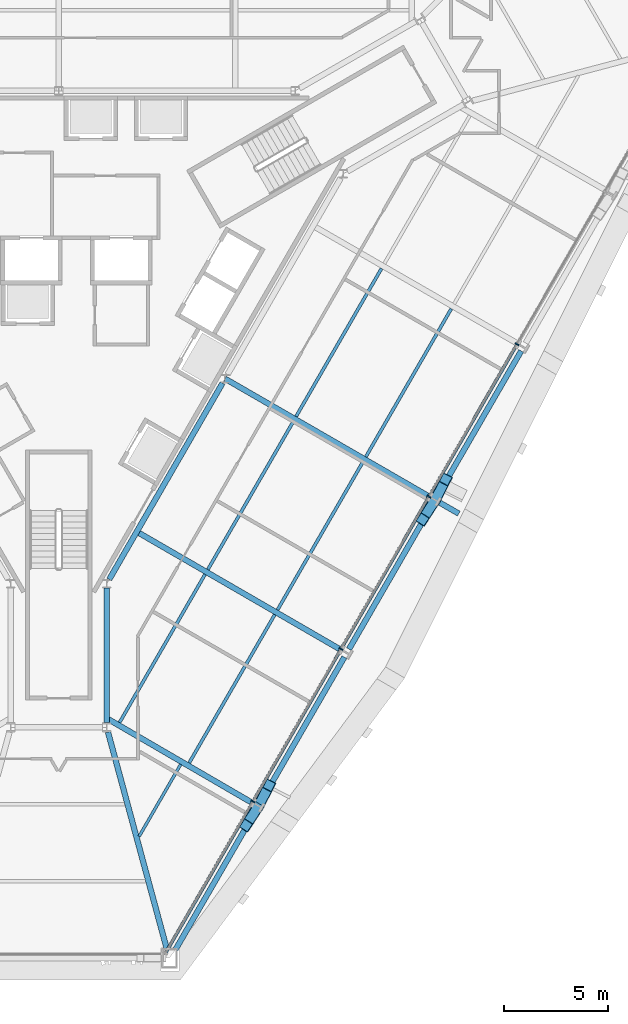
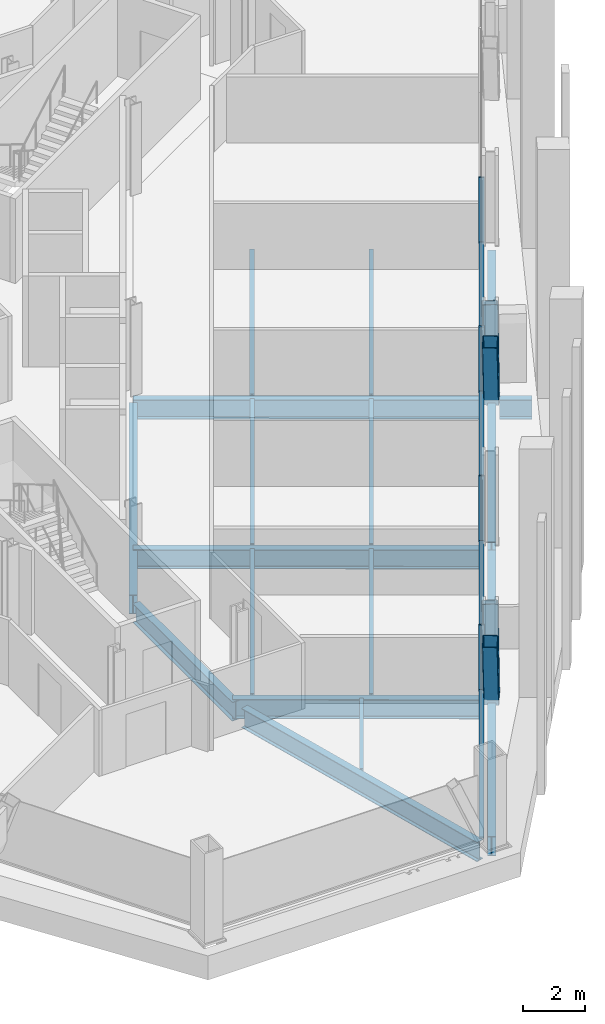
# One storey, part 4 of 16: 18 beams, 12 members, 1 element without a shape of its own.
"""IFC4 building model written with IfcOpenShell, lengths in metres."""

import ifcopenshell
import ifcopenshell.guid

model = None  # the IFC model being written
_history = None  # IfcOwnerHistory: only IFC2X3 demands one
_inside = {}  # id of a spatial element -> (the spatial element, [elements in it])
_under = {}  # id of a project, library or spatial element -> (it, [spatial elements below it])
_declared = {}  # id of a project -> (the project, [libraries it declares])
_typed = {}  # id of a type object -> (the type object, [elements of that type])
_made_of = {}  # id of a material, layer set ... -> (it, [elements and type objects made of it])


def new_model(schema):
    """Start an empty IFC model of exactly this schema.

    Asked for "IFC4X3", IfcOpenShell would pick the latest addendum, in which some entities
    have other attributes; the version numbers below select the first issue.
    IFC2X3 requires an IfcOwnerHistory on every rooted entity: one is made here for all.
    """
    global model, _history
    if schema == "IFC4X3":
        model = ifcopenshell.file(schema_version=(4, 3, 0, 0))
    else:
        model = ifcopenshell.file(schema=schema)
    _inside.clear()
    _under.clear()
    _declared.clear()
    _typed.clear()
    _made_of.clear()
    _history = None
    if model.schema == "IFC2X3":
        org = make("IfcOrganization", Name="unknown")
        user = make(
            "IfcPersonAndOrganization",
            ThePerson=make("IfcPerson", FamilyName="unknown"),
            TheOrganization=org,
        )
        app = make(
            "IfcApplication",
            ApplicationDeveloper=org,
            Version="unknown",
            ApplicationFullName="unknown",
            ApplicationIdentifier="unknown",
        )
        _history = make(
            "IfcOwnerHistory",
            OwningUser=user,
            OwningApplication=app,
            ChangeAction="ADDED",
            CreationDate=0,
        )
    return model


def make(cls, **values):
    """One entity of the class cls with the attributes given. An attribute that is None is left unset."""
    return model.create_entity(
        cls, **{name: value for name, value in values.items() if value is not None}
    )


def rooted(cls, **values):
    """An entity with a GlobalId (a new one), such as an element, a storey or a relation."""
    return make(cls, GlobalId=ifcopenshell.guid.new(), OwnerHistory=_history, **values)


def si_unit(unit_type, name, prefix=None):
    """IfcSIUnit, for example si_unit("LENGTHUNIT", "METRE", prefix="MILLI")."""
    return make("IfcSIUnit", UnitType=unit_type, Prefix=prefix, Name=name)


def assignment(units):
    """IfcUnitAssignment: the units of a project."""
    return None if units is None else make("IfcUnitAssignment", Units=units)


def point(xyz):
    """IfcCartesianPoint."""
    return None if xyz is None else make("IfcCartesianPoint", Coordinates=xyz)


def direction(xyz):
    """IfcDirection."""
    return None if xyz is None else make("IfcDirection", DirectionRatios=xyz)


def frame(location, z_axis=None, x_axis=None):
    """IfcAxis2Placement3D, a coordinate frame: its origin and axes. An axis left out is left unset."""
    return make(
        "IfcAxis2Placement3D",
        Location=point(location),
        Axis=direction(z_axis),
        RefDirection=direction(x_axis),
    )


def frame_2d(location, x_axis=None):
    """IfcAxis2Placement2D, a coordinate frame in the plane: its origin and x axis."""
    return make(
        "IfcAxis2Placement2D", Location=point(location), RefDirection=direction(x_axis)
    )


def origin():
    """The frame at (0, 0, 0) with its axes left unset."""
    return frame((0.0, 0.0, 0.0))


def origin_2d():
    """The frame at (0, 0) in the plane with its x axis left unset."""
    return frame_2d((0.0, 0.0))


def place(relative_to, where):
    """IfcLocalPlacement: puts the frame where relative to a parent placement (None: the world)."""
    return make(
        "IfcLocalPlacement", PlacementRelTo=relative_to, RelativePlacement=where
    )


def context(
    kind, dimensions, precision=None, world=None, true_north=None, identifier=None
):
    """IfcGeometricRepresentationContext, for example the 3D "Model" context."""
    return make(
        "IfcGeometricRepresentationContext",
        ContextIdentifier=identifier,
        ContextType=kind,
        CoordinateSpaceDimension=dimensions,
        Precision=precision,
        WorldCoordinateSystem=world,
        TrueNorth=true_north,
    )


def subcontext(parent, identifier, kind, view, scale=None):
    """IfcGeometricRepresentationSubContext, for example "Body" below "Model"."""
    return make(
        "IfcGeometricRepresentationSubContext",
        ContextIdentifier=identifier,
        ContextType=kind,
        ParentContext=parent,
        TargetScale=scale,
        TargetView=view,
    )


def project(units=None, contexts=None):
    """IfcProject with its units and contexts."""
    return rooted(
        "IfcProject",
        Name="project",
        RepresentationContexts=contexts,
        UnitsInContext=assignment(units),
    )


def spatial(cls, under=None, at=None, **own):
    """A site, building, storey or space (cls), placed at a placement, below another one or the project."""
    s = rooted(cls, ObjectPlacement=at, **own)
    if under is not None:
        _under.setdefault(under.id(), (under, []))[1].append(s)
    return s


def profile(cls, at=None, kind="AREA", **sizes):
    """A parametric profile (cls). Its sizes go by their IFC names, for example OverallWidth=200.0."""
    return make(cls, ProfileType=kind, Position=at, **sizes)


def rectangle(**sizes):
    """IfcRectangleProfileDef."""
    return profile("IfcRectangleProfileDef", **sizes)


def hollow_rectangle(**sizes):
    """IfcRectangleHollowProfileDef."""
    return profile("IfcRectangleHollowProfileDef", **sizes)


def i_section(**sizes):
    """IfcIShapeProfileDef."""
    return profile("IfcIShapeProfileDef", **sizes)


def extrude(swept, where, along, depth):
    """IfcExtrudedAreaSolid: the profile swept, set in the frame where, extruded along a direction by depth."""
    return make(
        "IfcExtrudedAreaSolid",
        SweptArea=swept,
        Position=where,
        ExtrudedDirection=direction(along),
        Depth=depth,
    )


def shape(context_of_items, identifier, shape_type, items):
    """IfcShapeRepresentation: the items that make up one representation, for example the "Body"."""
    return make(
        "IfcShapeRepresentation",
        ContextOfItems=context_of_items,
        RepresentationIdentifier=identifier,
        RepresentationType=shape_type,
        Items=items,
    )


def material(Name=None, Category=None):
    """IfcMaterial."""
    return make("IfcMaterial", Name=Name, Category=Category)


def material_profile(
    of_material, cross_section, Name=None, Category=None, Priority=None
):
    """IfcMaterialProfile: a cross section and its material."""
    return make(
        "IfcMaterialProfile",
        Name=Name,
        Material=of_material,
        Profile=cross_section,
        Priority=Priority,
        Category=Category,
    )


def profile_set(profiles, Name=None, composite=None):
    """IfcMaterialProfileSet."""
    return make(
        "IfcMaterialProfileSet",
        Name=Name,
        MaterialProfiles=profiles,
        CompositeProfile=composite,
    )


def made_of(thing, what):
    """Note that an element or type object is made of a material, layer set ...; save() writes the relation."""
    if what is not None:
        _made_of.setdefault(what.id(), (what, []))[1].append(thing)
    return thing


def type_object(cls, material=None, **own):
    """A type object (cls), such as IfcWallType, which elements share."""
    return made_of(rooted(cls, **own), material)


def element(
    cls,
    number,
    at=None,
    inside=None,
    cuts=None,
    type_object=None,
    material=None,
    context=None,
    identifier="Body",
    shape_type=None,
    held_by="IfcProductDefinitionShape",
    body=None,
    shapes=None,
    **own,
):
    """One element of the class cls, such as IfcWall. Its Tag is "e" and its number.

    at: its placement. inside: the storey or other place that contains it. cuts: it is an
    opening in that element (IfcRelVoidsElement). A single representation is given by context,
    identifier, shape_type and body (its items); several are given by shapes. held_by: the class
    of the entity that holds the representations. save() writes the other relations.
    """
    e = rooted(cls, Tag="e%d" % number, ObjectPlacement=at, **own)
    if body is not None:
        shapes = [shape(context, identifier, shape_type, body)]
    if shapes is not None:
        e.Representation = make(held_by, Representations=shapes)
    if inside is not None:
        _inside.setdefault(inside.id(), (inside, []))[1].append(e)
    if cuts is not None:
        rooted(
            "IfcRelVoidsElement", RelatingBuildingElement=cuts, RelatedOpeningElement=e
        )
    if type_object is not None:
        _typed.setdefault(type_object.id(), (type_object, []))[1].append(e)
    return made_of(e, material)


def aggregate(whole, parts):
    """IfcRelAggregates: a whole, such as a stair, and the parts it consists of."""
    return rooted("IfcRelAggregates", RelatingObject=whole, RelatedObjects=parts)


def save(model, path):
    """Write the relations noted so far, then the file.

    IfcRelAggregates (storeys below a building ...), IfcRelContainedInSpatialStructure (elements
    in a storey), IfcRelDefinesByType, IfcRelAssociatesMaterial and IfcRelDeclares: one each for
    every whole, place, type object, material and project.
    """
    for whole, parts in _under.values():
        aggregate(whole, parts)
    for where, things in _inside.values():
        rooted(
            "IfcRelContainedInSpatialStructure",
            RelatedElements=things,
            RelatingStructure=where,
        )
    for kind, things in _typed.values():
        rooted("IfcRelDefinesByType", RelatedObjects=things, RelatingType=kind)
    for what, things in _made_of.values():
        rooted("IfcRelAssociatesMaterial", RelatedObjects=things, RelatingMaterial=what)
    for by, libraries in _declared.values():
        rooted("IfcRelDeclares", RelatingContext=by, RelatedDefinitions=libraries)
    model.write(path)


model = new_model("IFC4")

# Units and contexts
model_context = context("Model", 3, precision=1e-05, world=origin(), true_north=direction((0.0, 1.0)))
body_context = subcontext(model_context, "Body", "Model", "MODEL_VIEW")
ifc_project = project(units=[si_unit("LENGTHUNIT", "METRE"), si_unit("AREAUNIT", "SQUARE_METRE"), si_unit("VOLUMEUNIT", "CUBIC_METRE"), si_unit("PLANEANGLEUNIT", "RADIAN"), si_unit("MASSUNIT", "GRAM", prefix="KILO")], contexts=[model_context])

# Site, building, storey
site_placement = place(None, origin())
site = spatial("IfcSite", under=ifc_project, at=site_placement, CompositionType="ELEMENT")
building_placement = place(site_placement, origin())
building = spatial("IfcBuilding", under=site, at=building_placement, Name="Verrane Prism Tower", CompositionType="ELEMENT")
storey_placement = place(building_placement, frame((0.0, 0.0, 36.800048828125)))
storey = spatial("IfcBuildingStorey", under=building, at=storey_placement, Name="L06", CompositionType="ELEMENT", Elevation=36.800048828125)

# Beams
ifc_material_1 = material(Name="Steel A992", Category="steel")
ifc_material_profile_1 = material_profile(ifc_material_1, i_section(OverallWidth=0.2666015625, OverallDepth=0.7568359375, WebThickness=0.013916015625, FlangeThickness=0.019287109375, FilletRadius=0.0166015625, at=origin_2d()), Name="W30x108")
ifc_profile_set_1 = profile_set([ifc_material_profile_1], Name="Steel A992")
beam_type_1 = type_object("IfcBeamType", Name="Core ring girder W30x108", PredefinedType="BEAM", material=ifc_profile_set_1)
beam_1_placement = place(storey_placement, frame((2.300048828125, -21.07275390625, -0.628662109375), z_axis=(0.0, 1.0, 0.0), x_axis=(-1.0, 0.0, 0.0)))
element("IfcBeam", 1, at=beam_1_placement, inside=storey, type_object=beam_type_1, Name="Core ring girder L06", PredefinedType="BEAM", context=body_context, shape_type="SweptSolid", body=[
    extrude(i_section(OverallWidth=0.2666015625, OverallDepth=0.7568359375, WebThickness=0.013916015625, FlangeThickness=0.019287109375, FilletRadius=0.0166015625, at=origin_2d()), origin(), (0.0, 0.0, 1.0), 6.4443359375),
])
beam_2_placement = place(storey_placement, frame((2.42041015625, -14.211669921875, -0.628662109375), z_axis=(0.500013103396, 0.866017838403, 0.0), x_axis=(-0.866017838403, 0.500013103396, 0.0)))
element("IfcBeam", 2, at=beam_2_placement, inside=storey, type_object=beam_type_1, Name="Core ring girder L06", PredefinedType="BEAM", context=body_context, shape_type="SweptSolid", body=[
    extrude(i_section(OverallWidth=0.2666015625, OverallDepth=0.7568359375, WebThickness=0.013916015625, FlangeThickness=0.019287109375, FilletRadius=0.0166015625, at=origin_2d()), origin(), (0.0, 0.0, 1.0), 10.858154296875),
])
ifc_material_2 = material(Name="Steel A992", Category="steel")
ifc_material_profile_2 = material_profile(ifc_material_2, i_section(OverallWidth=0.2666015625, OverallDepth=0.76708984375, WebThickness=0.014892578125, FlangeThickness=0.023681640625, FilletRadius=0.0166015625, at=origin_2d()), Name="W30x124")
ifc_profile_set_2 = profile_set([ifc_material_profile_2], Name="Steel A992")
beam_type_2 = type_object("IfcBeamType", Name="Corner girder W30x124", PredefinedType="BEAM", material=ifc_profile_set_2)
beam_3_placement = place(storey_placement, frame((5.177978515625, -31.909912109375, -0.603515625), z_axis=(-0.261780624044, 0.965127403442, 0.0), x_axis=(-0.965127403442, -0.261780624044, 0.0)))
element("IfcBeam", 3, at=beam_3_placement, inside=storey, type_object=beam_type_2, Name="Corner girder L06", PredefinedType="BEAM", context=body_context, shape_type="SweptSolid", body=[
    extrude(i_section(OverallWidth=0.2666015625, OverallDepth=0.76708984375, WebThickness=0.014892578125, FlangeThickness=0.023681640625, FilletRadius=0.0166015625, at=origin_2d()), origin(), (0.0, 0.0, 1.0), 10.7578125),
])

# Members
ifc_material_3 = material(Name="Steel A1085 Grade A", Category="steel")
ifc_material_profile_3 = material_profile(ifc_material_3, hollow_rectangle(XDim=0.508056640625, YDim=0.508056640625, WallThickness=0.025390625, InnerFilletRadius=0.0126953125, OuterFilletRadius=0.0380859375, at=origin_2d()), Name="HSS20x20x1")
ifc_profile_set_3 = profile_set([ifc_material_profile_3], Name="Steel A1085 Grade A")
member_type_1 = type_object("IfcMemberType", Name="Facade brace HSS20x20x1", PredefinedType="BRACE", material=ifc_profile_set_3)
member_1_placement = place(storey_placement, frame((9.505615234375, -25.182861328125, -0.19775390625), z_axis=(-0.170276347027, -0.262378948337, 0.94982274826), x_axis=(0.83883778559, -0.544381455844, 0.0)))
element("IfcMember", 4, at=member_1_placement, inside=storey, type_object=member_type_1, Name="Facade brace SE0 L06", PredefinedType="BRACE", context=body_context, shape_type="SweptSolid", body=[
    extrude(hollow_rectangle(XDim=0.508056640625, YDim=0.508056640625, WallThickness=0.025390625, InnerFilletRadius=0.0126953125, OuterFilletRadius=0.0380859375, at=origin_2d()), origin(), (0.0, 0.0, 1.0), 3.119873046875),
])
member_2_placement = place(storey_placement, frame((9.6201171875, -24.984619140625, -0.19775390625), z_axis=(0.1479180144, 0.288588201961, 0.945958302836), x_axis=(-0.889912521453, 0.456131235678, 0.0)))
element("IfcMember", 5, at=member_2_placement, inside=storey, type_object=member_type_1, Name="Facade brace SE1 L06", PredefinedType="BRACE", context=body_context, shape_type="SweptSolid", body=[
    extrude(hollow_rectangle(XDim=0.508056640625, YDim=0.508056640625, WallThickness=0.025390625, InnerFilletRadius=0.0126953125, OuterFilletRadius=0.0380859375, at=origin_2d()), origin(), (0.0, 0.0, 1.0), 3.132568359375),
])
member_3_placement = place(storey_placement, frame((17.97607421875, -10.505615234375, -0.19775390625), z_axis=(-0.172986598869, -0.267328725928, 0.947950942246), x_axis=(0.839556996111, -0.543271617408, 0.0)))
element("IfcMember", 6, at=member_3_placement, inside=storey, type_object=member_type_1, Name="Facade brace SE2 L06", PredefinedType="BRACE", context=body_context, shape_type="SweptSolid", body=[
    extrude(hollow_rectangle(XDim=0.508056640625, YDim=0.508056640625, WallThickness=0.025390625, InnerFilletRadius=0.0126953125, OuterFilletRadius=0.0380859375, at=origin_2d()), origin(), (0.0, 0.0, 1.0), 3.1259765625),
])
member_4_placement = place(storey_placement, frame((18.090576171875, -10.3076171875, -0.19775390625), z_axis=(0.145243104133, 0.283770666892, 0.947828386003), x_axis=(-0.890174233627, 0.455620273678, 0.0)))
element("IfcMember", 7, at=member_4_placement, inside=storey, type_object=member_type_1, Name="Facade brace SE3 L06", PredefinedType="BRACE", context=body_context, shape_type="SweptSolid", body=[
    extrude(hollow_rectangle(XDim=0.508056640625, YDim=0.508056640625, WallThickness=0.025390625, InnerFilletRadius=0.0126953125, OuterFilletRadius=0.0380859375, at=origin_2d()), origin(), (0.0, 0.0, 1.0), 3.12646484375),
])

# Beams
ifc_material_4 = material(Name="Steel A992", Category="steel")
ifc_material_profile_4 = material_profile(ifc_material_4, i_section(OverallWidth=0.140380859375, OverallDepth=0.40380859375, WebThickness=0.007080078125, FlangeThickness=0.01123046875, FilletRadius=0.01025390625, at=origin_2d()), Name="W16x31")
ifc_profile_set_4 = profile_set([ifc_material_profile_4], Name="Steel A992")
beam_type_3 = type_object("IfcBeamType", Name="Floor beam W16x31", PredefinedType="BEAM", material=ifc_profile_set_4)
beam_4_placement = place(storey_placement, frame((3.85498046875, -26.52294921875, -0.362060546875), z_axis=(0.499985753801, 0.866033628675, 0.0), x_axis=(-0.866033628675, 0.499985753801, 0.0)))
element("IfcBeam", 8, at=beam_4_placement, inside=storey, type_object=beam_type_3, Name="Floor beam L06", PredefinedType="BEAM", context=body_context, shape_type="SweptSolid", body=[
    extrude(i_section(OverallWidth=0.140380859375, OverallDepth=0.40380859375, WebThickness=0.007080078125, FlangeThickness=0.01123046875, FilletRadius=0.01025390625, at=origin_2d()), origin(), (0.0, 0.0, 1.0), 3.986328125),
])
ifc_material_5 = material(Name="Steel A992", Category="steel")
ifc_material_profile_5 = material_profile(ifc_material_5, i_section(OverallWidth=0.15234375, OverallDepth=0.449462890625, WebThickness=0.007568359375, FlangeThickness=0.0107421875, FilletRadius=0.01025390625, at=origin_2d()), Name="W18x35")
ifc_profile_set_5 = profile_set([ifc_material_profile_5], Name="Steel A992")
beam_type_4 = type_object("IfcBeamType", Name="Floor beam W18x35", PredefinedType="BEAM", material=ifc_profile_set_5)
beam_5_placement = place(storey_placement, frame((6.255615234375, -22.997314453125, -0.384765625), z_axis=(0.499980301665, 0.866036776325, 0.0), x_axis=(-0.866036776325, 0.499980301665, 0.0)))
element("IfcBeam", 9, at=beam_5_placement, inside=storey, type_object=beam_type_4, Name="Floor beam L06", PredefinedType="BEAM", context=body_context, shape_type="SweptSolid", body=[
    extrude(i_section(OverallWidth=0.15234375, OverallDepth=0.449462890625, WebThickness=0.007568359375, FlangeThickness=0.0107421875, FilletRadius=0.01025390625, at=origin_2d()), origin(), (0.0, 0.0, 1.0), 8.196044921875),
])
beam_6_placement = place(storey_placement, frame((2.914306640625, -21.0703125, -0.384765625), z_axis=(0.499989744381, 0.866031324788, 0.0), x_axis=(-0.866031324788, 0.499989744381, 0.0)))
element("IfcBeam", 10, at=beam_6_placement, inside=storey, type_object=beam_type_4, Name="Floor beam L06", PredefinedType="BEAM", context=body_context, shape_type="SweptSolid", body=[
    extrude(i_section(OverallWidth=0.15234375, OverallDepth=0.449462890625, WebThickness=0.007568359375, FlangeThickness=0.0107421875, FilletRadius=0.01025390625, at=origin_2d()), origin(), (0.0, 0.0, 1.0), 8.196533203125),
])
for number, where, z_axis, x_axis, name in (
    (11, (10.486328125, -15.66748046875, -0.384765625), (0.499993199895, 0.866029329791, 0.0), (-0.866029329791, 0.499993199895, 0.0), "Floor beam L06"),
    (12, (7.145751953125, -13.740478515625, -0.384765625), (0.499993199895, 0.866029329791, 0.0), (-0.866029329791, 0.499993199895, 0.0), "Floor beam L06"),
):
    element("IfcBeam", number, at=place(storey_placement, frame(where, z_axis=z_axis, x_axis=x_axis)), inside=storey, type_object=beam_type_4, Name=name, PredefinedType="BEAM", context=body_context, shape_type="SweptSolid", body=[
        extrude(i_section(OverallWidth=0.15234375, OverallDepth=0.449462890625, WebThickness=0.007568359375, FlangeThickness=0.0107421875, FilletRadius=0.01025390625, at=origin_2d()), origin(), (0.0, 0.0, 1.0), 8.19580078125),
    ])
beam_7_placement = place(storey_placement, frame((14.7158203125, -8.337158203125, -0.384765625), z_axis=(0.499971080413, 0.866042099872, 0.0), x_axis=(-0.866042099872, 0.499971080413, 0.0)))
element("IfcBeam", 13, at=beam_7_placement, inside=storey, type_object=beam_type_4, Name="Floor beam L06", PredefinedType="BEAM", context=body_context, shape_type="SweptSolid", body=[
    extrude(i_section(OverallWidth=0.15234375, OverallDepth=0.449462890625, WebThickness=0.007568359375, FlangeThickness=0.0107421875, FilletRadius=0.01025390625, at=origin_2d()), origin(), (0.0, 0.0, 1.0), 8.1884765625),
])
beam_8_placement = place(storey_placement, frame((11.37158203125, -6.408203125, -0.384765625), z_axis=(0.500008883376, 0.866020274904, 0.0), x_axis=(-0.866020274904, 0.500008883376, 0.0)))
element("IfcBeam", 14, at=beam_8_placement, inside=storey, type_object=beam_type_4, Name="Floor beam L06", PredefinedType="BEAM", context=body_context, shape_type="SweptSolid", body=[
    extrude(i_section(OverallWidth=0.15234375, OverallDepth=0.449462890625, WebThickness=0.007568359375, FlangeThickness=0.0107421875, FilletRadius=0.01025390625, at=origin_2d()), origin(), (0.0, 0.0, 1.0), 8.189697265625),
])

# Curtain wall, members
ifc_material_6 = material(Name="Aluminium framed insulated glazing", Category="aluminium")
curtain_wall_type = type_object("IfcCurtainWallType", Name="Curtain wall CW-A 8400 module", PredefinedType="NOTDEFINED", material=ifc_material_6)
curtain_wall_placement = place(storey_placement, origin())
curtain_wall = element("IfcCurtainWall", 15, at=curtain_wall_placement, inside=storey, type_object=curtain_wall_type, Name="Glazed curtain wall south-east face L06", PredefinedType="NOTDEFINED")
ifc_material_7 = material(Name="Aluminium alloy 6063-T6", Category="aluminium")
ifc_material_profile_6 = material_profile(ifc_material_7, rectangle(XDim=0.199951171875, YDim=0.070068359375, at=origin_2d()), Name="Mullion 70x200 aluminium")
ifc_profile_set_6 = profile_set([ifc_material_profile_6], Name="Aluminium alloy 6063-T6")
member_type_2 = type_object("IfcMemberType", Name="Mullion 70x200 aluminium", PredefinedType="MULLION", material=ifc_profile_set_6)
member_5_placement = place(storey_placement, frame((9.311767578125, -24.853271484375, 0.0), z_axis=(0.0, 0.0, 1.0), x_axis=(-0.866025123598, 0.500000485297, 0.0)))
member_5 = element("IfcMember", 16, at=member_5_placement, type_object=member_type_2, Name="CW06.6 mullion 2", PredefinedType="MULLION", context=body_context, shape_type="SweptSolid", body=[
    extrude(rectangle(XDim=0.199951171875, YDim=0.070068359375, at=origin_2d()), origin(), (0.0, 0.0, 1.0), 2.61279296875),
])
member_6_placement = place(storey_placement, frame((13.52880859375, -17.54931640625, 0.0), z_axis=(0.0, 0.0, 1.0), x_axis=(-0.866025123598, 0.500000485297, 0.0)))
member_6 = element("IfcMember", 17, at=member_6_placement, type_object=member_type_2, Name="CW06.6 mullion 3", PredefinedType="MULLION", context=body_context, shape_type="SweptSolid", body=[
    extrude(rectangle(XDim=0.199951171875, YDim=0.070068359375, at=origin_2d()), origin(), (0.0, 0.0, 1.0), 2.61279296875),
])
member_7_placement = place(storey_placement, frame((17.74560546875, -10.24560546875, 0.0), z_axis=(0.0, 0.0, 1.0), x_axis=(-0.866025123598, 0.500000485297, 0.0)))
member_7 = element("IfcMember", 18, at=member_7_placement, type_object=member_type_2, Name="CW06.6 mullion 4", PredefinedType="MULLION", context=body_context, shape_type="SweptSolid", body=[
    extrude(rectangle(XDim=0.199951171875, YDim=0.070068359375, at=origin_2d()), origin(), (0.0, 0.0, 1.0), 2.61279296875),
])
member_8_placement = place(storey_placement, frame((21.962646484375, -2.941650390625, 0.0), z_axis=(0.0, 0.0, 1.0), x_axis=(-0.866025123598, 0.500000485297, 0.0)))
member_8 = element("IfcMember", 19, at=member_8_placement, type_object=member_type_2, Name="CW06.6 mullion 5", PredefinedType="MULLION", context=body_context, shape_type="SweptSolid", body=[
    extrude(rectangle(XDim=0.199951171875, YDim=0.070068359375, at=origin_2d()), origin(), (0.0, 0.0, 1.0), 2.61279296875),
])

# Beams
ifc_material_8 = material(Name="Steel A992", Category="steel")
ifc_material_profile_7 = material_profile(ifc_material_8, i_section(OverallWidth=0.2666015625, OverallDepth=0.76708984375, WebThickness=0.014892578125, FlangeThickness=0.023681640625, FilletRadius=0.0166015625, at=origin_2d()), Name="W30x124")
ifc_profile_set_7 = profile_set([ifc_material_profile_7], Name="Steel A992")
beam_type_5 = type_object("IfcBeamType", Name="Radial girder W30x124", PredefinedType="BEAM", material=ifc_profile_set_7)
beam_9_placement = place(storey_placement, frame((9.332275390625, -24.952392578125, -0.603515625), z_axis=(-0.864605143586, 0.502451933706, 0.0), x_axis=(-0.502451933706, -0.864605143586, 0.0)))
element("IfcBeam", 20, at=beam_9_placement, inside=storey, type_object=beam_type_5, Name="Radial girder L06", PredefinedType="BEAM", context=body_context, shape_type="SweptSolid", body=[
    extrude(i_section(OverallWidth=0.2666015625, OverallDepth=0.76708984375, WebThickness=0.014892578125, FlangeThickness=0.023681640625, FilletRadius=0.0166015625, at=origin_2d()), origin(), (0.0, 0.0, 1.0), 8.133544921875),
])
beam_10_placement = place(storey_placement, frame((13.568359375, -17.61279296875, -0.603515625), z_axis=(-0.865515085395, 0.500882857517, 0.0), x_axis=(-0.500882857517, -0.865515085395, 0.0)))
element("IfcBeam", 21, at=beam_10_placement, inside=storey, type_object=beam_type_5, Name="Radial girder L06", PredefinedType="BEAM", context=body_context, shape_type="SweptSolid", body=[
    extrude(i_section(OverallWidth=0.2666015625, OverallDepth=0.76708984375, WebThickness=0.014892578125, FlangeThickness=0.023681640625, FilletRadius=0.0166015625, at=origin_2d()), origin(), (0.0, 0.0, 1.0), 11.35498046875),
])
beam_11_placement = place(storey_placement, frame((17.803466796875, -10.27392578125, -0.603515625), z_axis=(-0.865963176172, 0.500107765901, 0.0), x_axis=(-0.500107765901, -0.865963176172, 0.0)))
element("IfcBeam", 22, at=beam_11_placement, inside=storey, type_object=beam_type_5, Name="Radial girder L06", PredefinedType="BEAM", context=body_context, shape_type="SweptSolid", body=[
    extrude(i_section(OverallWidth=0.2666015625, OverallDepth=0.76708984375, WebThickness=0.014892578125, FlangeThickness=0.023681640625, FilletRadius=0.0166015625, at=origin_2d()), origin(), (0.0, 0.0, 1.0), 11.35302734375),
])
beam_12_placement = place(storey_placement, frame((18.260498046875, -10.5361328125, -0.603515625), z_axis=(0.866015096958, -0.500017851522, 0.0), x_axis=(0.500017851522, 0.866015096958, 0.0)))
element("IfcBeam", 23, at=beam_12_placement, inside=storey, type_object=beam_type_5, Name="Cantilever girder L06", PredefinedType="BEAM", context=body_context, shape_type="SweptSolid", body=[
    extrude(i_section(OverallWidth=0.2666015625, OverallDepth=0.76708984375, WebThickness=0.014892578125, FlangeThickness=0.023681640625, FilletRadius=0.0166015625, at=origin_2d()), origin(), (0.0, 0.0, 1.0), 1.04931640625),
])
ifc_material_9 = material(Name="Steel A992", Category="steel")
ifc_material_profile_8 = material_profile(ifc_material_9, i_section(OverallWidth=0.2666015625, OverallDepth=0.7568359375, WebThickness=0.013916015625, FlangeThickness=0.019287109375, FilletRadius=0.0166015625, at=origin_2d()), Name="W30x108")
ifc_profile_set_8 = profile_set([ifc_material_profile_8], Name="Steel A992")
beam_type_6 = type_object("IfcBeamType", Name="Spandrel beam W30x108", PredefinedType="SPANDREL", material=ifc_profile_set_8)
beam_13_placement = place(storey_placement, frame((5.58544921875, -31.96728515625, -0.53857421875), z_axis=(0.500304971447, 0.865849256825, 0.0), x_axis=(-0.865849256825, 0.500304971447, 0.0)))
element("IfcBeam", 24, at=beam_13_placement, inside=storey, type_object=beam_type_6, Name="Spandrel beam L06", PredefinedType="SPANDREL", context=body_context, shape_type="SweptSolid", body=[
    extrude(i_section(OverallWidth=0.2666015625, OverallDepth=0.7568359375, WebThickness=0.013916015625, FlangeThickness=0.019287109375, FilletRadius=0.0166015625, at=origin_2d()), origin(), (0.0, 0.0, 1.0), 7.726806640625),
])
beam_14_placement = place(storey_placement, frame((9.67236328125, -24.894287109375, -0.53857421875), z_axis=(0.49986891155, 0.866101074509, 0.0), x_axis=(-0.866101074509, 0.49986891155, 0.0)))
element("IfcBeam", 25, at=beam_14_placement, inside=storey, type_object=beam_type_6, Name="Spandrel beam L06", PredefinedType="SPANDREL", context=body_context, shape_type="SweptSolid", body=[
    extrude(i_section(OverallWidth=0.2666015625, OverallDepth=0.7568359375, WebThickness=0.013916015625, FlangeThickness=0.019287109375, FilletRadius=0.0166015625, at=origin_2d()), origin(), (0.0, 0.0, 1.0), 8.032958984375),
])
beam_15_placement = place(storey_placement, frame((13.90869140625, -17.55419921875, -0.53857421875), z_axis=(0.49982069883, 0.866128898618, 0.0), x_axis=(-0.866128898618, 0.49982069883, 0.0)))
element("IfcBeam", 26, at=beam_15_placement, inside=storey, type_object=beam_type_6, Name="Spandrel beam L06", PredefinedType="SPANDREL", context=body_context, shape_type="SweptSolid", body=[
    extrude(i_section(OverallWidth=0.2666015625, OverallDepth=0.7568359375, WebThickness=0.013916015625, FlangeThickness=0.019287109375, FilletRadius=0.0166015625, at=origin_2d()), origin(), (0.0, 0.0, 1.0), 8.03125),
])
beam_16_placement = place(storey_placement, frame((18.143798828125, -10.21533203125, -0.53857421875), z_axis=(0.500306993855, 0.865848088235, 0.0), x_axis=(-0.865848088235, 0.500306993855, 0.0)))
element("IfcBeam", 27, at=beam_16_placement, inside=storey, type_object=beam_type_6, Name="Spandrel beam L06", PredefinedType="SPANDREL", context=body_context, shape_type="SweptSolid", body=[
    extrude(i_section(OverallWidth=0.2666015625, OverallDepth=0.7568359375, WebThickness=0.013916015625, FlangeThickness=0.019287109375, FilletRadius=0.0166015625, at=origin_2d()), origin(), (0.0, 0.0, 1.0), 8.025390625),
])

# Member
ifc_material_10 = material(Name="Aluminium alloy 6063-T6", Category="aluminium")
ifc_material_profile_9 = material_profile(ifc_material_10, rectangle(XDim=0.14990234375, YDim=0.070068359375, at=origin_2d()), Name="Transom 70x150 aluminium")
ifc_profile_set_9 = profile_set([ifc_material_profile_9], Name="Aluminium alloy 6063-T6")
member_type_3 = type_object("IfcMemberType", Name="Transom 70x150 aluminium", PredefinedType="USERDEFINED", material=ifc_profile_set_9)
member_9_placement = place(storey_placement, frame((5.1298828125, -32.0966796875, 0.034912109375), z_axis=(0.500016788349, 0.86601571081, 0.0), x_axis=(-0.86601571081, 0.500016788349, 0.0)))
member_9 = element("IfcMember", 28, at=member_9_placement, type_object=member_type_3, Name="CW06.6 transom 1", ObjectType="TRANSOM", PredefinedType="USERDEFINED", context=body_context, shape_type="SweptSolid", body=[
    extrude(rectangle(XDim=0.14990234375, YDim=0.070068359375, at=origin_2d()), origin(), (0.0, 0.0, 1.0), 8.328857421875),
])

member_10_placement = place(storey_placement, frame((9.329345703125, -24.822998046875, 0.034912109375), z_axis=(0.500003770246, 0.866023227021, 0.0), x_axis=(-0.866023227021, 0.500003770246, 0.0)))
member_10 = element("IfcMember", 29, at=member_10_placement, type_object=member_type_3, Name="CW06.6 transom 2", ObjectType="TRANSOM", PredefinedType="USERDEFINED", context=body_context, shape_type="SweptSolid", body=[
    extrude(rectangle(XDim=0.14990234375, YDim=0.070068359375, at=origin_2d()), origin(), (0.0, 0.0, 1.0), 8.36376953125),
])

member_11_placement = place(storey_placement, frame((13.54638671875, -17.51904296875, 0.034912109375), z_axis=(0.500003770246, 0.866023227021, 0.0), x_axis=(-0.866023227021, 0.500003770246, 0.0)))
member_11 = element("IfcMember", 30, at=member_11_placement, type_object=member_type_3, Name="CW06.6 transom 3", ObjectType="TRANSOM", PredefinedType="USERDEFINED", context=body_context, shape_type="SweptSolid", body=[
    extrude(rectangle(XDim=0.14990234375, YDim=0.070068359375, at=origin_2d()), origin(), (0.0, 0.0, 1.0), 8.36376953125),
])

member_12_placement = place(storey_placement, frame((17.76318359375, -10.215087890625, 0.034912109375), z_axis=(0.500003770246, 0.866023227021, 0.0), x_axis=(-0.866023227021, 0.500003770246, 0.0)))
member_12 = element("IfcMember", 31, at=member_12_placement, type_object=member_type_3, Name="CW06.6 transom 4", ObjectType="TRANSOM", PredefinedType="USERDEFINED", context=body_context, shape_type="SweptSolid", body=[
    extrude(rectangle(XDim=0.14990234375, YDim=0.070068359375, at=origin_2d()), origin(), (0.0, 0.0, 1.0), 8.36376953125),
])

aggregate(curtain_wall, [member_5, member_6, member_7, member_8, member_9, member_10, member_11, member_12])

save(model, "model.ifc")
